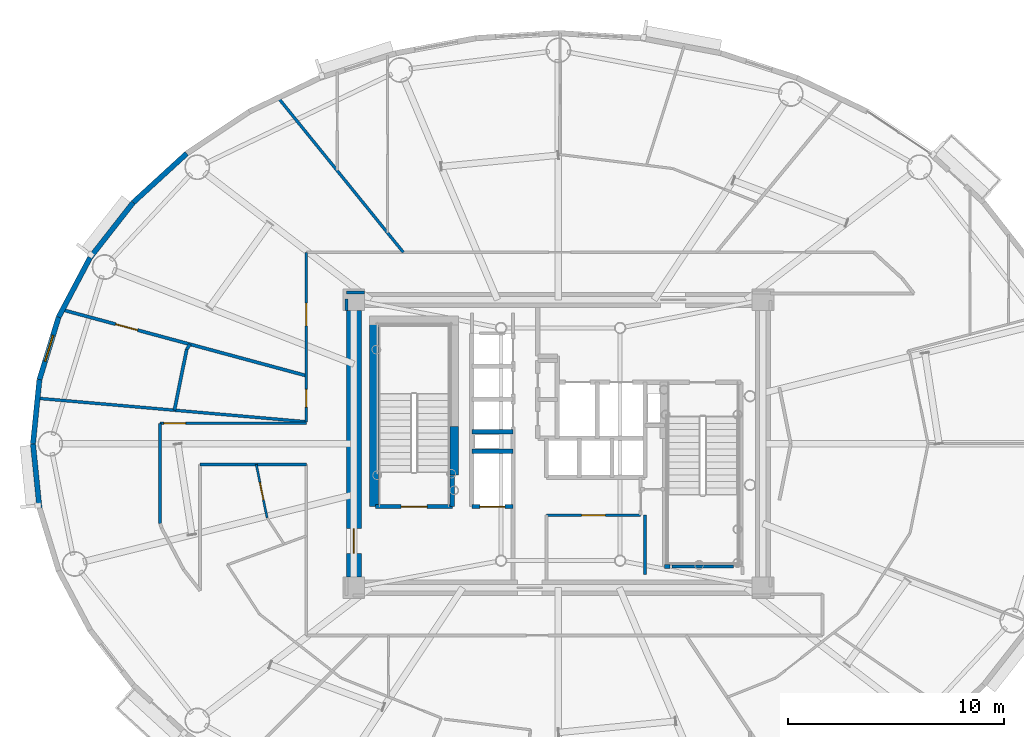
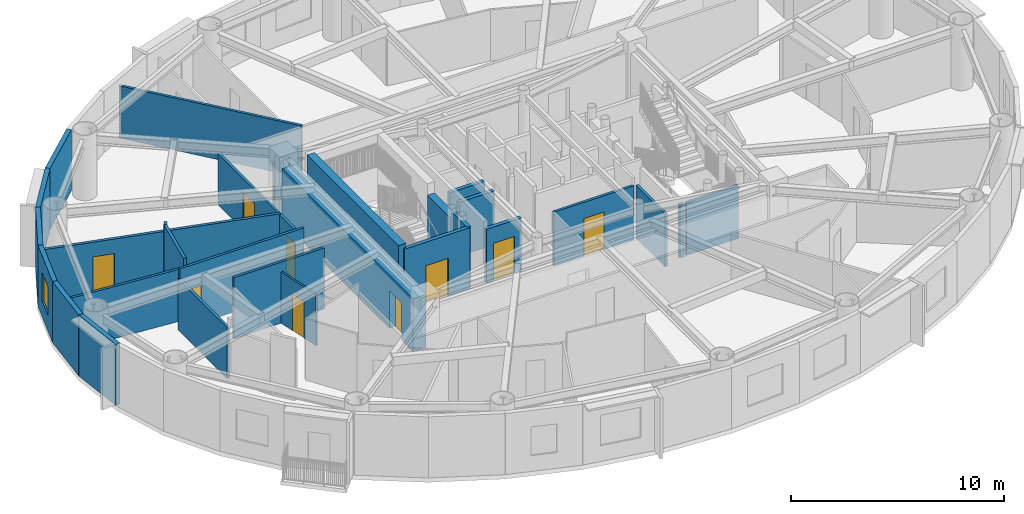
# One storey, part 9 of 19: 30 walls, 9 doors, 1 window, 10 openings.
"""IFC4 building model written with IfcOpenShell, lengths in metres."""

from ifc_helpers import new_model, si_unit, direction, frame, frame_2d, origin, origin_2d, place, context, subcontext, project, spatial, rectangle, extrude, source, transform, mapped, material, layer, layer_set, type_object, element, fill, save


model = new_model("IFC4")

# Units and contexts
model_context = context("Model", 3, precision=1e-05, world=origin(), true_north=direction((0.0, 1.0)))
body_context = subcontext(model_context, "Body", "Model", "MODEL_VIEW")
ifc_project = project(units=[si_unit("LENGTHUNIT", "METRE"), si_unit("AREAUNIT", "SQUARE_METRE"), si_unit("VOLUMEUNIT", "CUBIC_METRE"), si_unit("PLANEANGLEUNIT", "RADIAN"), si_unit("MASSUNIT", "GRAM", prefix="KILO")], contexts=[model_context])

# Site, building, storey
site_placement = place(None, origin())
site = spatial("IfcSite", under=ifc_project, at=site_placement, CompositionType="ELEMENT")
building_placement = place(site_placement, origin())
building = spatial("IfcBuilding", under=site, at=building_placement, Name="Linh Dai School and Residence Tower", CompositionType="ELEMENT")
storey_placement = place(building_placement, frame((0.0, 0.0, 247.800048828125)))
storey = spatial("IfcBuildingStorey", under=building, at=storey_placement, Name="L61", CompositionType="ELEMENT", Elevation=247.800048828125)

# Walls
ifc_material_1 = material(Name="Precast Concrete B45 (C35/45)", Category="concrete")
ifc_layer_1 = layer(ifc_material_1, 0.239990234375)
ifc_layer_set_1 = layer_set([ifc_layer_1], Name="Precast Concrete B45 (C35/45)")
wall_type_1 = type_object("IfcWallType", Name="EW-TC-240", PredefinedType="SOLIDWALL", material=ifc_layer_set_1)
wall_1_placement = place(storey_placement, frame((16.3515625, 38.14453125, 0.0), z_axis=(0.0, 0.0, 1.0), x_axis=(0.737123922599, 0.675757591694, 0.0)))
element("IfcWall", 1, at=wall_1_placement, inside=storey, type_object=wall_type_1, Name="L61 Terracotta Exterior Wall 16", PredefinedType="SOLIDWALL", context=body_context, shape_type="SweptSolid", body=[
    extrude(rectangle(XDim=3.353759765625, YDim=0.239990234375, at=frame_2d((1.6767578125, 0.0))), origin(), (0.0, 0.0, 1.0), 3.5),
])
wall_2_placement = place(storey_placement, frame((14.3642578125, 35.605224609375, 0.0), z_axis=(0.0, 0.0, 1.0), x_axis=(0.616312344705, 0.787501805562, 0.0)))
element("IfcWall", 2, at=wall_2_placement, inside=storey, type_object=wall_type_1, Name="L61 Terracotta Exterior Wall 17", PredefinedType="SOLIDWALL", context=body_context, shape_type="SweptSolid", body=[
    extrude(rectangle(XDim=3.224609375, YDim=0.239990234375, at=frame_2d((1.6123046875, 0.0))), origin(), (0.0, 0.0, 1.0), 3.5),
])
wall_3_placement = place(storey_placement, frame((12.90966796875, 32.85595703125, 0.0), z_axis=(0.0, 0.0, 1.0), x_axis=(0.46766049993, 0.883908172157, 0.0)))
element("IfcWall", 3, at=wall_3_placement, inside=storey, type_object=wall_type_1, Name="L61 Terracotta Exterior Wall 18", PredefinedType="SOLIDWALL", context=body_context, shape_type="SweptSolid", body=[
    extrude(rectangle(XDim=3.1103515625, YDim=0.239990234375, at=frame_2d((1.55517578125, 0.0))), origin(), (0.0, 0.0, 1.0), 3.5),
])

# Wall, opening, window
wall_4_placement = place(storey_placement, frame((12.02294921875, 29.9638671875, 0.0), z_axis=(0.0, 0.0, 1.0), x_axis=(0.293132907334, 0.95607170162, 0.0)))
wall_4 = element("IfcWall", 4, at=wall_4_placement, inside=storey, type_object=wall_type_1, Name="L61 Terracotta Exterior Wall 19", PredefinedType="SOLIDWALL", context=body_context, shape_type="SweptSolid", body=[
    extrude(rectangle(XDim=3.02490234375, YDim=0.239990234375, at=frame_2d((1.512451171875, 0.0))), origin(), (0.0, 0.0, 1.0), 3.5),
])
opening_1_placement = place(wall_4_placement, frame((0.887451171875, 0.0, 0.89990234375)))
opening_1 = element("IfcOpeningElement", 5, at=opening_1_placement, cuts=wall_4, Name="Opening W3", PredefinedType="OPENING", context=body_context, shape_type="SweptSolid", body=[
    extrude(rectangle(XDim=1.25, YDim=1.64990234375, at=origin_2d()), frame((0.625, 0.1298828125, 0.824951171875), z_axis=(0.0, -1.0, 0.0), x_axis=(1.0, 0.0, 0.0)), (0.0, 0.0, 1.0), 0.260009765625),
])
ifc_material_2 = material(Name="Double Low-E Insulated Glazing", Category="glass")
window_type = type_object("IfcWindowType", Name="WN-RES-1250x1650", PartitioningType="SINGLE_PANEL", PredefinedType="WINDOW", material=ifc_material_2)
shared_shape_1 = source(origin(), body_context, "Body", "SweptSolid", [
    extrude(rectangle(XDim=1.25, YDim=1.64990234375, at=origin_2d()), frame((0.625, 0.030029296875, 0.824951171875), z_axis=(0.0, -1.0, 0.0), x_axis=(1.0, 0.0, 0.0)), (0.0, 0.0, 1.0), 0.06005859375),
])
window_placement = place(opening_1_placement, origin())
window = element("IfcWindow", 6, at=window_placement, inside=storey, type_object=window_type, Name="L61 Exterior Window 19.1", OverallHeight=1.64990234375, OverallWidth=1.25, PartitioningType="SINGLE_PANEL", PredefinedType="WINDOW", context=body_context, shape_type="MappedRepresentation", body=[
    mapped(shared_shape_1, transform((0.0, 0.0, 0.0), x_axis=(1.0, 0.0, 0.0), y_axis=(0.0, 1.0, 0.0), z_axis=(0.0, 0.0, 1.0), scale=1.0)),
])
fill(opening_1, window)

# Walls
for number, where, z_axis, x_axis, name in (
    (7, (11.72509765625, 27.0, 0.0), (0.0, 0.0, 1.0), (0.099990595253, 0.994988382274, 0.0), "L61 Terracotta Exterior Wall 20"),
    (8, (12.02294921875, 24.0361328125, 0.0), (0.0, 0.0, 1.0), (-0.099990595253, 0.994988382274, 0.0), "L61 Terracotta Exterior Wall 21"),
):
    element("IfcWall", number, at=place(storey_placement, frame(where, z_axis=z_axis, x_axis=x_axis)), inside=storey, type_object=wall_type_1, Name=name, PredefinedType="SOLIDWALL", context=body_context, shape_type="SweptSolid", body=[
        extrude(rectangle(XDim=2.978759765625, YDim=0.239990234375, at=frame_2d((1.4892578125, 0.0))), origin(), (0.0, 0.0, 1.0), 3.5),
    ])
ifc_material_3 = material(Name="Autoclaved Aerated Concrete Blockwork", Category="masonry")
ifc_layer_2 = layer(ifc_material_3, 0.135009765625)
ifc_layer_set_2 = layer_set([ifc_layer_2], Name="Autoclaved Aerated Concrete Blockwork")
wall_type_2 = type_object("IfcWallType", Name="IW-CORR-135-EI90", PredefinedType="PARTITIONING", material=ifc_layer_set_2)
wall_5_placement = place(storey_placement, frame((11.931640625, 29.105712890625, 0.0), z_axis=(0.0, 0.0, 1.0), x_axis=(0.996194886619, -0.08715358784, 0.0)))
element("IfcWall", 9, at=wall_5_placement, inside=storey, type_object=wall_type_2, Name="L61 Interior Partition Wall 001", PredefinedType="PARTITIONING", context=body_context, shape_type="SweptSolid", body=[
    extrude(rectangle(XDim=12.465576171875, YDim=0.135009765625, at=frame_2d((6.23291015625, 0.0))), origin(), (0.0, 0.0, 1.0), 2.98486328125),
])
wall_6_placement = place(storey_placement, frame((17.60009765625, 23.327880859375, 0.0), z_axis=(0.0, 0.0, 1.0), x_axis=(0.0, 1.0, 0.0)))
element("IfcWall", 10, at=wall_6_placement, inside=storey, type_object=wall_type_2, Name="L61 Interior Partition Wall 003", PredefinedType="PARTITIONING", context=body_context, shape_type="SweptSolid", body=[
    extrude(rectangle(XDim=4.6220703125, YDim=0.135009765625, at=frame_2d((2.31103515625, 0.0))), origin(), (0.0, 0.0, 1.0), 2.93505859375),
])

# Wall, opening, door
wall_7_placement = place(storey_placement, frame((17.60009765625, 27.949951171875, 0.0), z_axis=(0.0, 0.0, 1.0), x_axis=(1.0, 0.0, 0.0)))
wall_7 = element("IfcWall", 11, at=wall_7_placement, inside=storey, type_object=wall_type_2, Name="L61 Interior Partition Wall 005", PredefinedType="PARTITIONING", context=body_context, shape_type="SweptSolid", body=[
    extrude(rectangle(XDim=6.75, YDim=0.135009765625, at=frame_2d((3.375, 0.0))), origin(), (0.0, 0.0, 1.0), 3.5),
])
opening_2_placement = place(wall_7_placement, frame((0.175048828125, 0.0, 0.0)))
opening_2 = element("IfcOpeningElement", 12, at=opening_2_placement, cuts=wall_7, Name="Opening D03", PredefinedType="OPENING", context=body_context, shape_type="SweptSolid", body=[
    extrude(rectangle(XDim=1.0, YDim=2.14990234375, at=origin_2d()), frame((0.5, 0.07763671875, 1.074951171875), z_axis=(0.0, -1.0, 0.0), x_axis=(1.0, 0.0, 0.0)), (0.0, 0.0, 1.0), 0.155029296875),
])
ifc_material_4 = material(Name="Fire-Rated Solid Timber Entrance Door", Category="wood")
door_type_1 = type_object("IfcDoorType", Name="DR-FLAT-1000x2150-FD60S", OperationType="NOTDEFINED", PredefinedType="DOOR", material=ifc_material_4)
shared_shape_2 = source(origin(), body_context, "Body", "SweptSolid", [
    extrude(rectangle(XDim=1.0, YDim=2.14990234375, at=origin_2d()), frame((0.5, 0.02490234375, 1.074951171875), z_axis=(0.0, -1.0, 0.0), x_axis=(1.0, 0.0, 0.0)), (0.0, 0.0, 1.0), 0.050048828125),
])
door_1_placement = place(opening_2_placement, origin())
door_1 = element("IfcDoor", 13, at=door_1_placement, inside=storey, type_object=door_type_1, Name="L61 U6101 Apartment Entrance Door", OperationType="SINGLE_SWING_LEFT", OverallHeight=2.14990234375, OverallWidth=1.0, PredefinedType="DOOR", context=body_context, shape_type="MappedRepresentation", body=[
    mapped(shared_shape_2, transform((0.0, 0.0, 0.0), x_axis=(1.0, 0.0, 0.0), y_axis=(0.0, 1.0, 0.0), z_axis=(0.0, 0.0, 1.0), scale=1.0)),
])
fill(opening_2, door_1)

# Walls
wall_8_placement = place(storey_placement, frame((19.449951171875, 26.050048828125, 0.0), z_axis=(0.0, 0.0, 1.0), x_axis=(1.0, 0.0, 0.0)))
element("IfcWall", 14, at=wall_8_placement, inside=storey, type_object=wall_type_2, Name="L61 Interior Partition Wall 011", PredefinedType="PARTITIONING", context=body_context, shape_type="SweptSolid", body=[
    extrude(rectangle(XDim=4.900146484375, YDim=0.135009765625, at=frame_2d((2.4501953125, 0.0))), origin(), (0.0, 0.0, 1.0), 3.5),
])
wall_9_placement = place(storey_placement, frame((23.05029296875, 42.991455078125, 0.0), z_axis=(0.0, 0.0, 1.0), x_axis=(0.629320507303, -0.777145867317, 0.0)))
element("IfcWall", 15, at=wall_9_placement, inside=storey, type_object=wall_type_2, Name="L61 Interior Partition Wall 018", PredefinedType="PARTITIONING", context=body_context, shape_type="SweptSolid", body=[
    extrude(rectangle(XDim=9.189208984375, YDim=0.135009765625, at=frame_2d((4.5947265625, 0.0))), origin(), (0.0, 0.0, 1.0), 2.98486328125),
])

# Wall, openings, doors
wall_10_placement = place(storey_placement, frame((24.35009765625, 28.019287109375, 0.0), z_axis=(0.0, 0.0, 1.0), x_axis=(0.0, 1.0, 0.0)))
wall_10 = element("IfcWall", 16, at=wall_10_placement, inside=storey, type_object=wall_type_2, Name="L61 Interior Partition Wall 021", PredefinedType="PARTITIONING", context=body_context, shape_type="SweptSolid", body=[
    extrude(rectangle(XDim=7.830810546875, YDim=0.135009765625, at=frame_2d((3.91552734375, 0.0))), origin(), (0.0, 0.0, 1.0), 2.93505859375),
])
opening_3_placement = place(wall_10_placement, frame((4.4345703125, 0.0, 0.0)))
opening_3 = element("IfcOpeningElement", 17, at=opening_3_placement, cuts=wall_10, Name="Opening D04", PredefinedType="OPENING", context=body_context, shape_type="SweptSolid", body=[
    extrude(rectangle(XDim=1.050048828125, YDim=2.14990234375, at=origin_2d()), frame((0.52490234375, 0.07763671875, 1.074951171875), z_axis=(0.0, -1.0, 0.0), x_axis=(1.0, 0.0, 0.0)), (0.0, 0.0, 1.0), 0.155029296875),
])
opening_4_placement = place(wall_10_placement, frame((0.67431640625, 0.0, 0.0)))
opening_4 = element("IfcOpeningElement", 18, at=opening_4_placement, cuts=wall_10, Name="Opening D06", PredefinedType="OPENING", context=body_context, shape_type="SweptSolid", body=[
    extrude(rectangle(XDim=0.820068359375, YDim=2.10009765625, at=origin_2d()), frame((0.41015625, 0.07763671875, 1.050048828125), z_axis=(0.0, -1.0, 0.0), x_axis=(1.0, 0.0, 0.0)), (0.0, 0.0, 1.0), 0.155029296875),
])
ifc_material_5 = material(Name="Acoustic Vision-Panel Timber Classroom Door", Category="wood")
door_type_2 = type_object("IfcDoorType", Name="DR-SCH-1050x2150-FD60S", OperationType="NOTDEFINED", PredefinedType="DOOR", material=ifc_material_5)
shared_shape_3 = source(origin(), body_context, "Body", "SweptSolid", [
    extrude(rectangle(XDim=1.050048828125, YDim=2.14990234375, at=origin_2d()), frame((0.52490234375, 0.02490234375, 1.074951171875), z_axis=(0.0, -1.0, 0.0), x_axis=(1.0, 0.0, 0.0)), (0.0, 0.0, 1.0), 0.050048828125),
])
door_2_placement = place(opening_3_placement, origin())
door_2 = element("IfcDoor", 19, at=door_2_placement, inside=storey, type_object=door_type_2, Name="L61 Sky Wellness and Pilates Studio Door", OperationType="SINGLE_SWING_RIGHT", OverallHeight=2.14990234375, OverallWidth=1.050048828125, PredefinedType="DOOR", context=body_context, shape_type="MappedRepresentation", body=[
    mapped(shared_shape_3, transform((0.0, 0.0, 0.0), x_axis=(1.0, 0.0, 0.0), y_axis=(0.0, 1.0, 0.0), z_axis=(0.0, 0.0, 1.0), scale=1.0)),
])
fill(opening_3, door_2)
ifc_material_6 = material(Name="Moisture-Resistant Timber Bathroom Door", Category="wood")
door_type_3 = type_object("IfcDoorType", Name="DR-WET-820x2100", OperationType="NOTDEFINED", PredefinedType="DOOR", material=ifc_material_6)
shared_shape_4 = source(origin(), body_context, "Body", "SweptSolid", [
    extrude(rectangle(XDim=0.820068359375, YDim=2.10009765625, at=origin_2d()), frame((0.41015625, 0.02490234375, 1.050048828125), z_axis=(0.0, -1.0, 0.0), x_axis=(1.0, 0.0, 0.0)), (0.0, 0.0, 1.0), 0.050048828125),
])
door_3_placement = place(opening_4_placement, origin())
door_3 = element("IfcDoor", 20, at=door_3_placement, inside=storey, type_object=door_type_3, Name="L61 Amenity Accessible WC Door", OperationType="SINGLE_SWING_LEFT", OverallHeight=2.10009765625, OverallWidth=0.820068359375, PredefinedType="DOOR", context=body_context, shape_type="MappedRepresentation", body=[
    mapped(shared_shape_4, transform((0.0, 0.0, 0.0), x_axis=(1.0, 0.0, 0.0), y_axis=(0.0, 1.0, 0.0), z_axis=(0.0, 0.0, 1.0), scale=1.0)),
])
fill(opening_4, door_3)

# Wall, opening, door
wall_11_placement = place(storey_placement, frame((35.449951171875, 23.699951171875, 0.0), z_axis=(0.0, 0.0, 1.0), x_axis=(1.0, 0.0, 0.0)))
wall_11 = element("IfcWall", 21, at=wall_11_placement, inside=storey, type_object=wall_type_2, Name="L61 Interior Partition Wall 046", PredefinedType="PARTITIONING", context=body_context, shape_type="SweptSolid", body=[
    extrude(rectangle(XDim=4.35009765625, YDim=0.135009765625, at=frame_2d((2.175048828125, 0.0))), origin(), (0.0, 0.0, 1.0), 3.0849609375),
])
opening_5_placement = place(wall_11_placement, frame((1.625, 0.0, 0.0)))
opening_5 = element("IfcOpeningElement", 22, at=opening_5_placement, cuts=wall_11, Name="Opening D07", PredefinedType="OPENING", context=body_context, shape_type="SweptSolid", body=[
    extrude(rectangle(XDim=1.10009765625, YDim=2.14990234375, at=origin_2d()), frame((0.550048828125, 0.07763671875, 1.074951171875), z_axis=(0.0, -1.0, 0.0), x_axis=(1.0, 0.0, 0.0)), (0.0, 0.0, 1.0), 0.155029296875),
])
ifc_material_7 = material(Name="Fire-Rated Louvred Steel Plant Door", Category="steel")
door_type_4 = type_object("IfcDoorType", Name="DR-PLT-1100x2150-FD60S", OperationType="NOTDEFINED", PredefinedType="DOOR", material=ifc_material_7)
shared_shape_5 = source(origin(), body_context, "Body", "SweptSolid", [
    extrude(rectangle(XDim=1.10009765625, YDim=2.14990234375, at=origin_2d()), frame((0.550048828125, 0.02490234375, 1.074951171875), z_axis=(0.0, -1.0, 0.0), x_axis=(1.0, 0.0, 0.0)), (0.0, 0.0, 1.0), 0.050048828125),
])
door_4_placement = place(opening_5_placement, origin())
door_4 = element("IfcDoor", 23, at=door_4_placement, inside=storey, type_object=door_type_4, Name="L61 Tenant Metering and BMS Room Door", OperationType="SINGLE_SWING_LEFT", OverallHeight=2.14990234375, OverallWidth=1.10009765625, PredefinedType="DOOR", context=body_context, shape_type="MappedRepresentation", body=[
    mapped(shared_shape_5, transform((0.0, 0.0, 0.0), x_axis=(1.0, 0.0, 0.0), y_axis=(0.0, 1.0, 0.0), z_axis=(0.0, 0.0, 1.0), scale=1.0)),
])
fill(opening_5, door_4)

# Walls
wall_12_placement = place(storey_placement, frame((44.080078125, 21.330078125, 0.0), z_axis=(0.0, 0.0, 1.0), x_axis=(-1.0, 0.0, 0.0)))
element("IfcWall", 24, at=wall_12_placement, inside=storey, type_object=wall_type_2, Name="L61 Interior Partition Wall 085", PredefinedType="PARTITIONING", context=body_context, shape_type="SweptSolid", body=[
    extrude(rectangle(XDim=2.820068359375, YDim=0.135009765625, at=frame_2d((1.41015625, 0.0))), origin(), (0.0, 0.0, 1.0), 3.034912109375),
])
wall_13_placement = place(storey_placement, frame((40.0, 23.699951171875, 0.0), z_axis=(0.0, 0.0, 1.0), x_axis=(0.0, -1.0, 0.0)))
element("IfcWall", 25, at=wall_13_placement, inside=storey, type_object=wall_type_2, Name="L61 Interior Partition Wall 087", PredefinedType="PARTITIONING", context=body_context, shape_type="SweptSolid", body=[
    extrude(rectangle(XDim=2.739990234375, YDim=0.135009765625, at=frame_2d((1.3701171875, 0.0))), origin(), (0.0, 0.0, 1.0), 3.034912109375),
])
wall_14_placement = place(storey_placement, frame((27.0400390625, 34.0, 0.0), z_axis=(0.0, 0.0, 1.0), x_axis=(-1.0, 0.0, 0.0)))
element("IfcWall", 26, at=wall_14_placement, inside=storey, type_object=wall_type_2, Name="L61 Interior Partition Wall 092", PredefinedType="PARTITIONING", context=body_context, shape_type="SweptSolid", body=[
    extrude(rectangle(XDim=0.840087890625, YDim=0.135009765625, at=frame_2d((0.419921875, 0.0))), origin(), (0.0, 0.0, 1.0), 2.93505859375),
])
wall_15_placement = place(storey_placement, frame((26.199951171875, 33.6923828125, 0.0), z_axis=(0.0, 0.0, 1.0), x_axis=(0.0, -1.0, 0.0)))
element("IfcWall", 27, at=wall_15_placement, inside=storey, type_object=wall_type_2, Name="L61 Interior Partition Wall 093", PredefinedType="PARTITIONING", context=body_context, shape_type="SweptSolid", body=[
    extrude(rectangle(XDim=0.532470703125, YDim=0.135009765625, at=frame_2d((0.26611328125, 0.0))), origin(), (0.0, 0.0, 1.0), 3.5),
])

# Wall, opening, door
ifc_layer_3 = layer(ifc_material_3, 0.14990234375)
ifc_layer_set_3 = layer_set([ifc_layer_3], Name="Autoclaved Aerated Concrete Blockwork")
wall_type_3 = type_object("IfcWallType", Name="IW-SCH-150-EI60", PredefinedType="PARTITIONING", material=ifc_layer_set_3)
wall_16_placement = place(storey_placement, frame((13.08203125, 33.1923828125, 0.0), z_axis=(0.0, 0.0, 1.0), x_axis=(0.965379480797, -0.26084949311, 0.0)))
wall_16 = element("IfcWall", 28, at=wall_16_placement, inside=storey, type_object=wall_type_3, Name="L61 Interior Partition Wall 002", PredefinedType="PARTITIONING", context=body_context, shape_type="SweptSolid", body=[
    extrude(rectangle(XDim=11.672119140625, YDim=0.14990234375, at=frame_2d((5.8359375, 0.0))), origin(), (0.0, 0.0, 1.0), 2.98486328125),
])
opening_6_placement = place(wall_16_placement, frame((2.548583984375, 0.0, 0.0)))
opening_6 = element("IfcOpeningElement", 29, at=opening_6_placement, cuts=wall_16, Name="Opening D04", PredefinedType="OPENING", context=body_context, shape_type="SweptSolid", body=[
    extrude(rectangle(XDim=1.050048828125, YDim=2.14990234375, at=origin_2d()), frame((0.52490234375, 0.0849609375, 1.074951171875), z_axis=(0.0, -1.0, 0.0), x_axis=(1.0, 0.0, 0.0)), (0.0, 0.0, 1.0), 0.169921875),
])
door_5_placement = place(opening_6_placement, origin())
door_5 = element("IfcDoor", 30, at=door_5_placement, inside=storey, type_object=door_type_2, Name="L61 Amenity Tea Salon Door", OperationType="SINGLE_SWING_RIGHT", OverallHeight=2.14990234375, OverallWidth=1.050048828125, PredefinedType="DOOR", context=body_context, shape_type="MappedRepresentation", body=[
    mapped(shared_shape_3, transform((0.0, 0.0, 0.0), x_axis=(1.0, 0.0, 0.0), y_axis=(0.0, 1.0, 0.0), z_axis=(0.0, 0.0, 1.0), scale=1.0)),
])
fill(opening_6, door_5)

# Walls
wall_17_placement = place(storey_placement, frame((18.258056640625, 28.55224609375, 0.0), z_axis=(0.0, 0.0, 1.0), x_axis=(0.198206962436, 0.980160191011, 0.0)))
element("IfcWall", 31, at=wall_17_placement, inside=storey, type_object=wall_type_3, Name="L61 Interior Partition Wall 007", PredefinedType="PARTITIONING", context=body_context, shape_type="SweptSolid", body=[
    extrude(rectangle(XDim=2.873779296875, YDim=0.14990234375, at=frame_2d((1.43701171875, 0.0))), origin(), (0.0, 0.0, 1.0), 3.5),
])
wall_18_placement = place(storey_placement, frame((18.82763671875, 31.368896484375, 0.0), z_axis=(0.0, 0.0, 1.0), x_axis=(0.545861595592, 0.837875359739, 0.0)))
element("IfcWall", 32, at=wall_18_placement, inside=storey, type_object=wall_type_3, Name="L61 Interior Partition Wall 009", PredefinedType="PARTITIONING", context=body_context, shape_type="SweptSolid", body=[
    extrude(rectangle(XDim=0.275146484375, YDim=0.14990234375, at=frame_2d((0.1376953125, 0.0))), origin(), (0.0, 0.0, 1.0), 3.5),
])

# Wall, opening, door
ifc_material_8 = material(Name="Concrete B45 (C35/45)", Category="concrete")
ifc_layer_4 = layer(ifc_material_8, 0.199951171875)
ifc_layer_set_4 = layer_set([ifc_layer_4], Name="Concrete B45 (C35/45)")
wall_type_4 = type_object("IfcWallType", Name="IW-SHAFT-200-EI120", PredefinedType="PARTITIONING", material=ifc_layer_set_4)
wall_19_placement = place(storey_placement, frame((27.56005859375, 24.10009765625, 0.0), z_axis=(0.0, 0.0, 1.0), x_axis=(1.0, 0.0, 0.0)))
wall_19 = element("IfcWall", 33, at=wall_19_placement, inside=storey, type_object=wall_type_4, Name="L61 Interior Partition Wall 025", PredefinedType="PARTITIONING", context=body_context, shape_type="SweptSolid", body=[
    extrude(rectangle(XDim=3.5400390625, YDim=0.199951171875, at=frame_2d((1.77001953125, 0.0))), origin(), (0.0, 0.0, 1.0), 3.5),
])
opening_7_placement = place(wall_19_placement, frame((1.169921875, 0.0, 0.0)))
opening_7 = element("IfcOpeningElement", 34, at=opening_7_placement, cuts=wall_19, Name="Opening D01", PredefinedType="OPENING", context=body_context, shape_type="SweptSolid", body=[
    extrude(rectangle(XDim=1.199951171875, YDim=2.14990234375, at=origin_2d()), frame((0.60009765625, 0.10986328125, 1.074951171875), z_axis=(0.0, -1.0, 0.0), x_axis=(1.0, 0.0, 0.0)), (0.0, 0.0, 1.0), 0.219970703125),
])
ifc_material_9 = material(Name="Fire-Rated Steel Door Leaf", Category="steel")
door_type_5 = type_object("IfcDoorType", Name="DR-STAIR-1200x2150-FD90S", OperationType="NOTDEFINED", PredefinedType="DOOR", material=ifc_material_9)
shared_shape_6 = source(origin(), body_context, "Body", "SweptSolid", [
    extrude(rectangle(XDim=1.199951171875, YDim=2.14990234375, at=origin_2d()), frame((0.60009765625, 0.02490234375, 1.074951171875), z_axis=(0.0, -1.0, 0.0), x_axis=(1.0, 0.0, 0.0)), (0.0, 0.0, 1.0), 0.050048828125),
])
door_6_placement = place(opening_7_placement, origin())
door_6 = element("IfcDoor", 35, at=door_6_placement, inside=storey, type_object=door_type_5, Name="L61 Core Smokeproof Exit Stair ST1 Door", OperationType="SINGLE_SWING_LEFT", OverallHeight=2.14990234375, OverallWidth=1.199951171875, PredefinedType="DOOR", context=body_context, shape_type="MappedRepresentation", body=[
    mapped(shared_shape_6, transform((0.0, 0.0, 0.0), x_axis=(1.0, 0.0, 0.0), y_axis=(0.0, 1.0, 0.0), z_axis=(0.0, 0.0, 1.0), scale=1.0)),
])
fill(opening_7, door_6)

# Wall
wall_20_placement = place(storey_placement, frame((31.10009765625, 24.10009765625, 0.0), z_axis=(0.0, 0.0, 1.0), x_axis=(0.0, 1.0, 0.0)))
element("IfcWall", 36, at=wall_20_placement, inside=storey, type_object=wall_type_4, Name="L61 Interior Partition Wall 030", PredefinedType="PARTITIONING", context=body_context, shape_type="SweptSolid", body=[
    extrude(rectangle(XDim=1.43994140625, YDim=0.199951171875, at=frame_2d((0.719970703125, 0.0))), origin(), (0.0, 0.0, 1.0), 3.5),
])

# Wall, opening, door
wall_21_placement = place(storey_placement, frame((32.0, 24.10009765625, 0.0), z_axis=(0.0, 0.0, 1.0), x_axis=(1.0, 0.0, 0.0)))
wall_21 = element("IfcWall", 37, at=wall_21_placement, inside=storey, type_object=wall_type_4, Name="L61 Interior Partition Wall 032", PredefinedType="PARTITIONING", context=body_context, shape_type="SweptSolid", body=[
    extrude(rectangle(XDim=1.89990234375, YDim=0.199951171875, at=frame_2d((0.949951171875, 0.0))), origin(), (0.0, 0.0, 1.0), 3.0849609375),
])
opening_8_placement = place(wall_21_placement, frame((0.375, 0.0, 0.0)))
opening_8 = element("IfcOpeningElement", 38, at=opening_8_placement, cuts=wall_21, Name="Opening LD-FF2", PredefinedType="OPENING", context=body_context, shape_type="SweptSolid", body=[
    extrude(rectangle(XDim=1.14990234375, YDim=2.14990234375, at=origin_2d()), frame((0.574951171875, 0.10986328125, 1.074951171875), z_axis=(0.0, -1.0, 0.0), x_axis=(1.0, 0.0, 0.0)), (0.0, 0.0, 1.0), 0.219970703125),
])
ifc_material_10 = material(Name="Fire-Rated Stainless Steel Firefighting Lift Door", Category="steel")
door_type_6 = type_object("IfcDoorType", Name="DR-LD-FF-1150x2150-FD120", OperationType="DOUBLE_DOOR_SLIDING", PredefinedType="USERDEFINED", material=ifc_material_10)
shared_shape_7 = source(origin(), body_context, "Body", "SweptSolid", [
    extrude(rectangle(XDim=1.14990234375, YDim=2.14990234375, at=origin_2d()), frame((0.574951171875, 0.02490234375, 1.074951171875), z_axis=(0.0, -1.0, 0.0), x_axis=(1.0, 0.0, 0.0)), (0.0, 0.0, 1.0), 0.050048828125),
])
door_7_placement = place(opening_8_placement, origin())
door_7 = element("IfcDoor", 39, at=door_7_placement, inside=storey, type_object=door_type_6, Name="L61 Lift FF2 Sliding Landing Door", ObjectType="LANDING DOOR", OperationType="DOUBLE_DOOR_SLIDING", OverallHeight=2.14990234375, OverallWidth=1.14990234375, PredefinedType="USERDEFINED", context=body_context, shape_type="MappedRepresentation", body=[
    mapped(shared_shape_7, transform((0.0, 0.0, 0.0), x_axis=(1.0, 0.0, 0.0), y_axis=(0.0, 1.0, 0.0), z_axis=(0.0, 0.0, 1.0), scale=1.0)),
])
fill(opening_8, door_7)

# Walls
for number, where, z_axis, x_axis, name in (
    (40, (32.0, 26.64990234375, 0.0), (0.0, 0.0, 1.0), (1.0, 0.0, 0.0), "L61 Interior Partition Wall 033"),
    (41, (32.0, 27.550048828125, 0.0), (0.0, 0.0, 1.0), (1.0, 0.0, 0.0), "L61 Interior Partition Wall 034"),
):
    element("IfcWall", number, at=place(storey_placement, frame(where, z_axis=z_axis, x_axis=x_axis)), inside=storey, type_object=wall_type_4, Name=name, PredefinedType="PARTITIONING", context=body_context, shape_type="SweptSolid", body=[
        extrude(rectangle(XDim=1.89990234375, YDim=0.199951171875, at=frame_2d((0.949951171875, 0.0))), origin(), (0.0, 0.0, 1.0), 3.0849609375),
    ])
wall_22_placement = place(storey_placement, frame((40.89990234375, 21.330078125, 0.0), z_axis=(0.0, 0.0, 1.0), x_axis=(1.0, 0.0, 0.0)))
element("IfcWall", 42, at=wall_22_placement, inside=storey, type_object=wall_type_4, Name="L61 Interior Partition Wall 062", PredefinedType="PARTITIONING", context=body_context, shape_type="SweptSolid", body=[
    extrude(rectangle(XDim=0.25, YDim=0.199951171875, at=frame_2d((0.125, 0.0))), origin(), (0.0, 0.0, 1.0), 3.034912109375),
])

# Wall, opening, door
ifc_material_11 = material(Name="Gypsum Plasterboard Acoustic Stud Partition", Category="masonry")
ifc_layer_5 = layer(ifc_material_11, 0.10009765625)
ifc_layer_set_5 = layer_set([ifc_layer_5], Name="Gypsum Plasterboard Acoustic Stud Partition")
wall_type_5 = type_object("IfcWallType", Name="IW-UNIT-100", PredefinedType="PARTITIONING", material=ifc_layer_set_5)
wall_23_placement = place(storey_placement, frame((22.040283203125, 26.050048828125, 0.0), z_axis=(0.0, 0.0, 1.0), x_axis=(0.198273230268, -0.980146788067, 0.0)))
wall_23 = element("IfcWall", 43, at=wall_23_placement, inside=storey, type_object=wall_type_5, Name="L61 Interior Partition Wall 015", PredefinedType="PARTITIONING", context=body_context, shape_type="SweptSolid", body=[
    extrude(rectangle(XDim=2.524169921875, YDim=0.10009765625, at=frame_2d((1.26220703125, 0.0))), origin(), (0.0, 0.0, 1.0), 2.93505859375),
])
opening_9_placement = place(wall_23_placement, frame((0.852294921875, 0.0, 0.0)))
opening_9 = element("IfcOpeningElement", 44, at=opening_9_placement, cuts=wall_23, Name="Opening D06", PredefinedType="OPENING", context=body_context, shape_type="SweptSolid", body=[
    extrude(rectangle(XDim=0.820068359375, YDim=2.10009765625, at=origin_2d()), frame((0.41015625, 0.06005859375, 1.050048828125), z_axis=(0.0, -1.0, 0.0), x_axis=(1.0, 0.0, 0.0)), (0.0, 0.0, 1.0), 0.1201171875),
])
door_8_placement = place(opening_9_placement, origin())
door_8 = element("IfcDoor", 45, at=door_8_placement, inside=storey, type_object=door_type_3, Name="L61 Apartment U6101 Bathroom Door", OperationType="SINGLE_SWING_RIGHT", OverallHeight=2.10009765625, OverallWidth=0.820068359375, PredefinedType="DOOR", context=body_context, shape_type="MappedRepresentation", body=[
    mapped(shared_shape_4, transform((0.0, 0.0, 0.0), x_axis=(1.0, 0.0, 0.0), y_axis=(0.0, 1.0, 0.0), z_axis=(0.0, 0.0, 1.0), scale=1.0)),
])
fill(opening_9, door_8)

# Walls
ifc_layer_6 = layer(ifc_material_8, 0.39990234375)
ifc_layer_set_6 = layer_set([ifc_layer_6], Name="Concrete B45 (C35/45)")
wall_type_6 = type_object("IfcWallType", Name="WL-CORE400", PredefinedType="SHEAR", material=ifc_layer_set_6)
wall_24_placement = place(storey_placement, frame((27.47998046875, 24.10009765625, 0.0), z_axis=(0.0, 0.0, 1.0), x_axis=(0.0, 1.0, 0.0)))
element("IfcWall", 46, at=wall_24_placement, inside=storey, type_object=wall_type_6, Name="L61 Core Stair ST1 Bearing Wall W", PredefinedType="SHEAR", context=body_context, shape_type="SweptSolid", body=[
    extrude(rectangle(XDim=8.599853515625, YDim=0.39990234375, at=frame_2d((4.2998046875, 0.0))), origin(), (0.0, 0.0, 1.0), 3.75),
])
wall_25_placement = place(storey_placement, frame((31.179931640625, 25.550048828125, 0.0), z_axis=(0.0, 0.0, 1.0), x_axis=(0.0, 1.0, 0.0)))
element("IfcWall", 47, at=wall_25_placement, inside=storey, type_object=wall_type_6, Name="L61 Internal Core Shear Wall IW", PredefinedType="SHEAR", context=body_context, shape_type="SweptSolid", body=[
    extrude(rectangle(XDim=2.25, YDim=0.39990234375, at=frame_2d((1.125, 0.0))), origin(), (0.0, 0.0, 1.0), 3.099853515625),
])

# Wall, opening, door
ifc_layer_7 = layer(ifc_material_8, 0.699951171875)
ifc_layer_set_7 = layer_set([ifc_layer_7], Name="Concrete B45 (C35/45)")
wall_type_7 = type_object("IfcWallType", Name="WL-CORE700", PredefinedType="SHEAR", material=ifc_layer_set_7)
wall_26_placement = place(storey_placement, frame((26.550048828125, 20.85009765625, 0.0), z_axis=(0.0, 0.0, 1.0), x_axis=(0.0, 1.0, 0.0)))
wall_26 = element("IfcWall", 48, at=wall_26_placement, inside=storey, type_object=wall_type_7, Name="L61 Central Core Shear Wall W", PredefinedType="SHEAR", context=body_context, shape_type="SweptSolid", body=[
    extrude(rectangle(XDim=12.2998046875, YDim=0.699951171875, at=frame_2d((6.14990234375, 0.0))), origin(), (0.0, 0.0, 1.0), 3.050048828125),
])
opening_10_placement = place(wall_26_placement, frame((1.085205078125, 0.0, 0.0)))
opening_10 = element("IfcOpeningElement", 49, at=opening_10_placement, cuts=wall_26, Name="Opening D02", PredefinedType="OPENING", context=body_context, shape_type="SweptSolid", body=[
    extrude(rectangle(XDim=1.14990234375, YDim=2.14990234375, at=origin_2d()), frame((0.574951171875, 0.35986328125, 1.074951171875), z_axis=(0.0, -1.0, 0.0), x_axis=(1.0, 0.0, 0.0)), (0.0, 0.0, 1.0), 0.719970703125),
])
ifc_material_12 = material(Name="Fire-Rated Glazed Steel Lobby Door", Category="steel")
door_type_7 = type_object("IfcDoorType", Name="DR-LOBBY-1150x2150-FD90S", OperationType="NOTDEFINED", PredefinedType="DOOR", material=ifc_material_12)
shared_shape_8 = source(origin(), body_context, "Body", "SweptSolid", [
    extrude(rectangle(XDim=1.14990234375, YDim=2.14990234375, at=origin_2d()), frame((0.574951171875, 0.02490234375, 1.074951171875), z_axis=(0.0, -1.0, 0.0), x_axis=(1.0, 0.0, 0.0)), (0.0, 0.0, 1.0), 0.050048828125),
])
door_9_placement = place(opening_10_placement, origin())
door_9 = element("IfcDoor", 50, at=door_9_placement, inside=storey, type_object=door_type_7, Name="L61 Firefighting Lobby Door", OperationType="SINGLE_SWING_RIGHT", OverallHeight=2.14990234375, OverallWidth=1.14990234375, PredefinedType="DOOR", context=body_context, shape_type="MappedRepresentation", body=[
    mapped(shared_shape_8, transform((0.0, 0.0, 0.0), x_axis=(1.0, 0.0, 0.0), y_axis=(0.0, 1.0, 0.0), z_axis=(0.0, 0.0, 1.0), scale=1.0)),
])
fill(opening_10, door_9)

save(model, "model.ifc")
